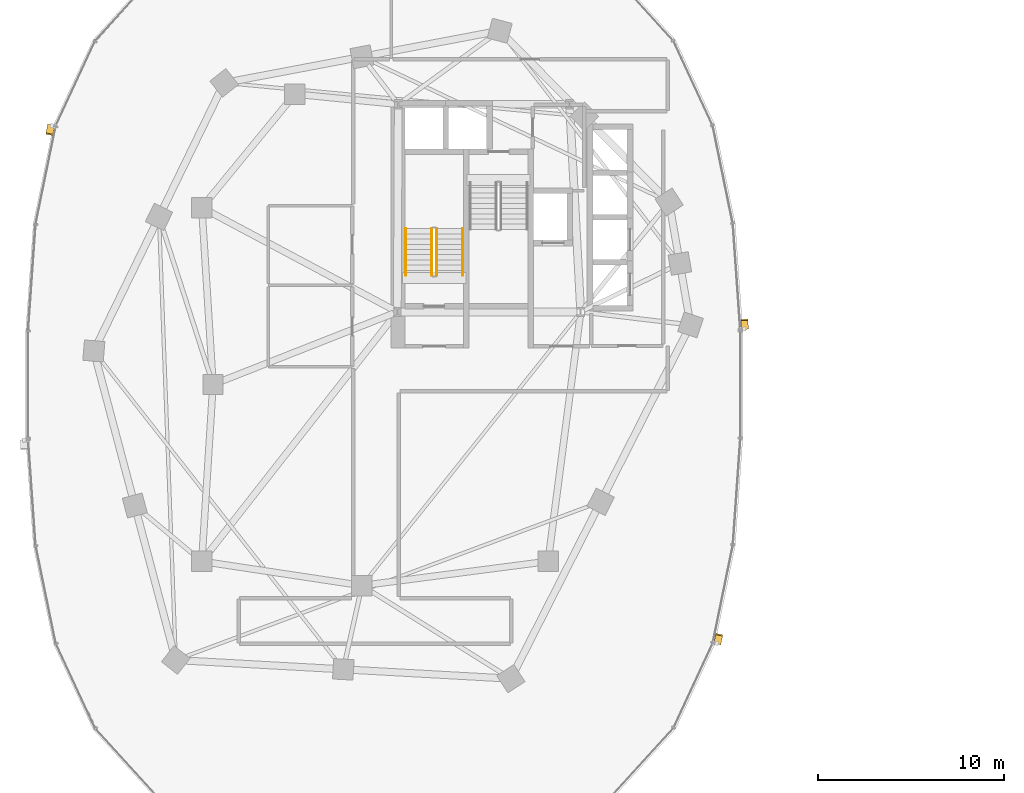
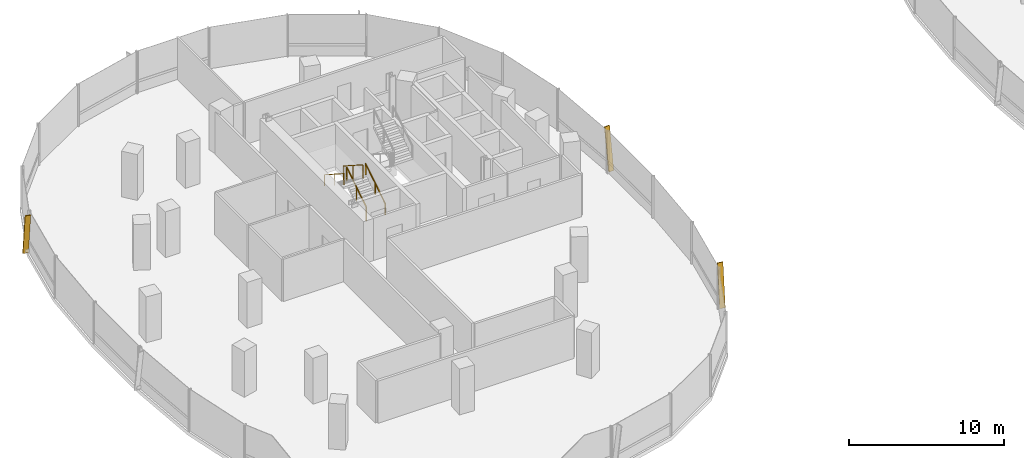
# One storey, part 17 of 20: 4 railings, 3 shading devices.
"""IFC4 building model written with IfcOpenShell, lengths in metres."""

from ifc_helpers import new_model, si_unit, direction, frame, origin, origin_2d, place, context, subcontext, project, spatial, rectangle, extrude, material, material_profile, profile_set, type_object, element, save


model = new_model("IFC4")

# Units and contexts
model_context = context("Model", 3, precision=1e-05, world=origin(), true_north=direction((0.0, 1.0)))
body_context = subcontext(model_context, "Body", "Model", "MODEL_VIEW")
ifc_project = project(units=[si_unit("LENGTHUNIT", "METRE"), si_unit("AREAUNIT", "SQUARE_METRE"), si_unit("VOLUMEUNIT", "CUBIC_METRE"), si_unit("PLANEANGLEUNIT", "RADIAN"), si_unit("MASSUNIT", "GRAM", prefix="KILO"), si_unit("THERMODYNAMICTEMPERATUREUNIT", "KELVIN"), si_unit("POWERUNIT", "WATT")], contexts=[model_context])

# Site, building, storey
site_placement = place(None, origin())
site = spatial("IfcSite", under=ifc_project, at=site_placement, CompositionType="ELEMENT")
building_placement = place(site_placement, origin())
building = spatial("IfcBuilding", under=site, at=building_placement, Name="Cundina Bronze Exchange", CompositionType="ELEMENT")
storey_placement = place(building_placement, frame((0.0, 0.0, 128.60009765625)))
storey = spatial("IfcBuildingStorey", under=building, at=storey_placement, Name="L33", CompositionType="ELEMENT", Elevation=128.60009765625)

# Railings
ifc_material_1 = material(Name="Steel ASTM A36 Painted", Category="steel")
railing_type_1 = type_object("IfcRailingType", Name="RLG-HND-900", PredefinedType="HANDRAIL", material=ifc_material_1)
railing_1_placement = place(storey_placement, frame((-27.7900390625, 5.85009765625, 0.179931640625)))
element("IfcRailing", 1, at=railing_1_placement, inside=storey, type_object=railing_type_1, Name="L33 ST-W1 stair handrail 1", PredefinedType="HANDRAIL", context=body_context, shape_type="SweptSolid", body=[
    extrude(rectangle(XDim=0.048095703125, YDim=0.048095703125, at=origin_2d()), frame((0.0, 0.0, 0.8759765625), z_axis=(0.0, 0.841199657755, 0.540724639528), x_axis=(-1.0, 0.0, 0.0)), (0.0, 0.0, 1.0), 2.995849609375),
    extrude(rectangle(XDim=0.0419921875, YDim=0.0419921875, at=origin_2d()), origin(), (0.0, 0.0, 1.0), 0.851806640625),
    extrude(rectangle(XDim=0.0419921875, YDim=0.0419921875, at=origin_2d()), frame((0.0, 1.260009765625, 0.81005859375)), (0.0, 0.0, 1.0), 0.851806640625),
    extrude(rectangle(XDim=0.0419921875, YDim=0.0419921875, at=origin_2d()), frame((0.0, 2.52001953125, 1.619873046875)), (0.0, 0.0, 1.0), 0.851806640625),
])
railing_2_placement = place(storey_placement, frame((-30.85009765625, 8.3701171875, 1.97998046875)))
element("IfcRailing", 2, at=railing_2_placement, inside=storey, type_object=railing_type_1, Name="L33 ST-W1 stair handrail 2", PredefinedType="HANDRAIL", context=body_context, shape_type="SweptSolid", body=[
    extrude(rectangle(XDim=0.048095703125, YDim=0.048095703125, at=origin_2d()), frame((0.0, 0.0, 0.8759765625), z_axis=(0.0, -0.841199657755, 0.540724639528), x_axis=(1.0, 0.0, 0.0)), (0.0, 0.0, 1.0), 2.995849609375),
    extrude(rectangle(XDim=0.0419921875, YDim=0.0419921875, at=origin_2d()), origin(), (0.0, 0.0, 1.0), 0.851806640625),
    extrude(rectangle(XDim=0.0419921875, YDim=0.0419921875, at=origin_2d()), frame((0.0, -1.260009765625, 0.81005859375)), (0.0, 0.0, 1.0), 0.851806640625),
    extrude(rectangle(XDim=0.0419921875, YDim=0.0419921875, at=origin_2d()), frame((0.0, -2.52001953125, 1.619873046875)), (0.0, 0.0, 1.0), 0.851806640625),
])
railing_type_2 = type_object("IfcRailingType", Name="RLG-STG-1100", PredefinedType="GUARDRAIL", material=ifc_material_1)
railing_3_placement = place(storey_placement, frame((-29.18994140625, 5.85009765625, 0.179931640625)))
element("IfcRailing", 3, at=railing_3_placement, inside=storey, type_object=railing_type_2, Name="L33 ST-W1 stair guard 1", PredefinedType="GUARDRAIL", context=body_context, shape_type="SweptSolid", body=[
    extrude(rectangle(XDim=0.048095703125, YDim=0.048095703125, at=origin_2d()), frame((0.0, 0.0, 1.076171875), z_axis=(0.0, 0.841199657755, 0.540724639528), x_axis=(-1.0, 0.0, 0.0)), (0.0, 0.0, 1.0), 2.995849609375),
    extrude(rectangle(XDim=0.0419921875, YDim=0.0419921875, at=origin_2d()), origin(), (0.0, 0.0, 1.0), 1.052001953125),
    extrude(rectangle(XDim=0.0419921875, YDim=0.0419921875, at=origin_2d()), frame((0.0, 1.260009765625, 0.81005859375)), (0.0, 0.0, 1.0), 1.052001953125),
    extrude(rectangle(XDim=0.0419921875, YDim=0.0419921875, at=origin_2d()), frame((0.0, 2.52001953125, 1.619873046875)), (0.0, 0.0, 1.0), 1.052001953125),
])
railing_4_placement = place(storey_placement, frame((-29.449951171875, 8.3701171875, 1.97998046875)))
element("IfcRailing", 4, at=railing_4_placement, inside=storey, type_object=railing_type_2, Name="L33 ST-W1 stair guard 3", PredefinedType="GUARDRAIL", context=body_context, shape_type="SweptSolid", body=[
    extrude(rectangle(XDim=0.048095703125, YDim=0.048095703125, at=origin_2d()), frame((0.0, 0.0, 1.076171875), z_axis=(0.0, -0.841199657755, 0.540724639528), x_axis=(1.0, 0.0, 0.0)), (0.0, 0.0, 1.0), 2.995849609375),
    extrude(rectangle(XDim=0.0419921875, YDim=0.0419921875, at=origin_2d()), origin(), (0.0, 0.0, 1.0), 1.052001953125),
    extrude(rectangle(XDim=0.0419921875, YDim=0.0419921875, at=origin_2d()), frame((0.0, -1.260009765625, 0.81005859375)), (0.0, 0.0, 1.0), 1.052001953125),
    extrude(rectangle(XDim=0.0419921875, YDim=0.0419921875, at=origin_2d()), frame((0.0, -2.52001953125, 1.619873046875)), (0.0, 0.0, 1.0), 1.052001953125),
])

# Shading devices
ifc_material_2 = material(Name="Anodised Bronze Aluminium 6063-T6", Category="aluminium")
ifc_material_profile = material_profile(ifc_material_2, rectangle(XDim=0.070068359375, YDim=0.3798828125, at=origin_2d()), Name="FIN70X380", Category="aluminium")
ifc_profile_set = profile_set([ifc_material_profile], Name="Anodised Bronze Aluminium 6063-T6")
shading_device_type = type_object("IfcShadingDeviceType", Name="SHD-FIN-BRZ380", PredefinedType="USERDEFINED", material=ifc_profile_set)
for number, where, z_axis, x_axis, name in (
    (5, (-12.6259765625, 2.993896484375, 0.02001953125), (-0.010164193442, 0.144434661884, 0.989462135515), (0.069458909021, -0.987021163692, 0.144791858824), "L33 Diagonal Bronze Solar Fin 1"),
    (6, (-49.89599609375, 13.911865234375, 0.02001953125), (-0.029240269674, -0.14185581711, 0.989455372304), (0.199753712029, 0.969082240221, 0.144838068955), "L33 Diagonal Bronze Solar Fin 5"),
    (7, (-14.10400390625, -13.911865234375, 0.02001953125), (0.029240269674, 0.14185581711, 0.989455372304), (-0.199753712029, -0.969082240221, 0.144838068955), "L33 Diagonal Bronze Solar Fin 5"),
):
    element("IfcShadingDevice", number, at=place(storey_placement, frame(where, z_axis=z_axis, x_axis=x_axis)), inside=storey, type_object=shading_device_type, Name=name, ObjectType="FIN", PredefinedType="USERDEFINED", context=body_context, shape_type="SweptSolid", body=[
        extrude(rectangle(XDim=0.070068359375, YDim=0.3798828125, at=origin_2d()), origin(), (0.0, 0.0, 1.0), 3.314697265625),
    ])

save(model, "model.ifc")
